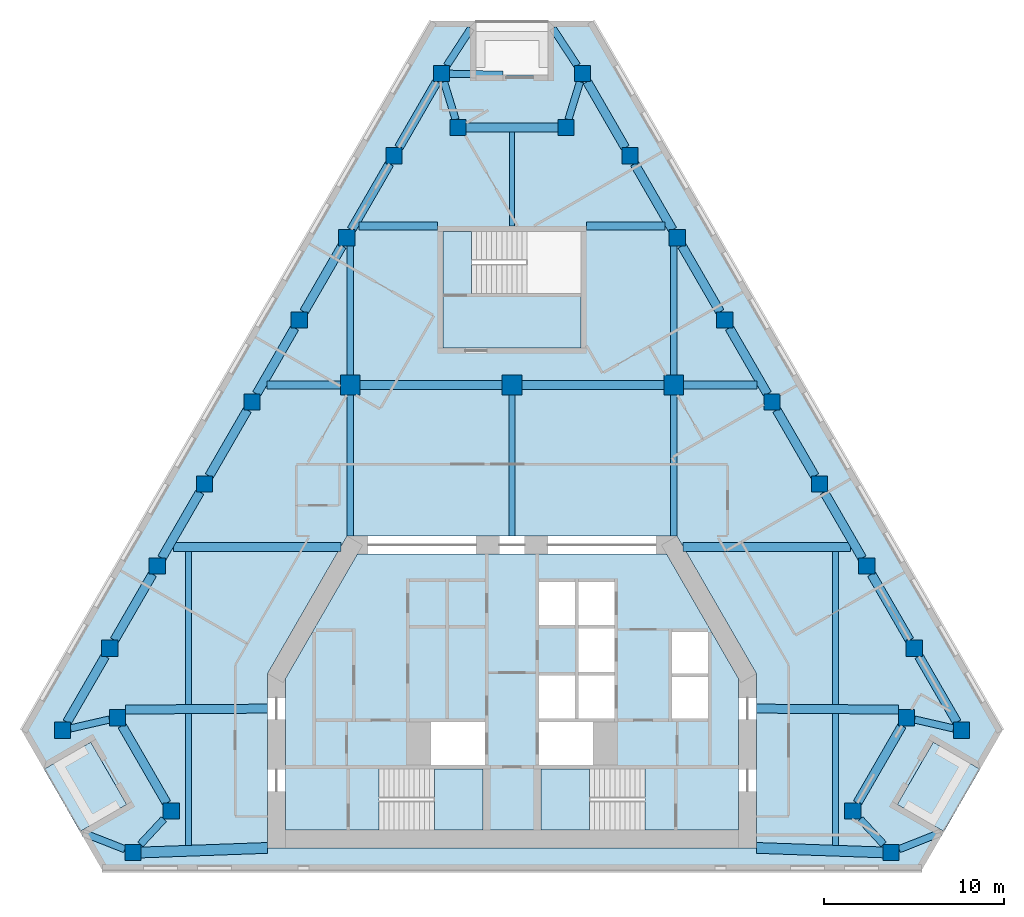
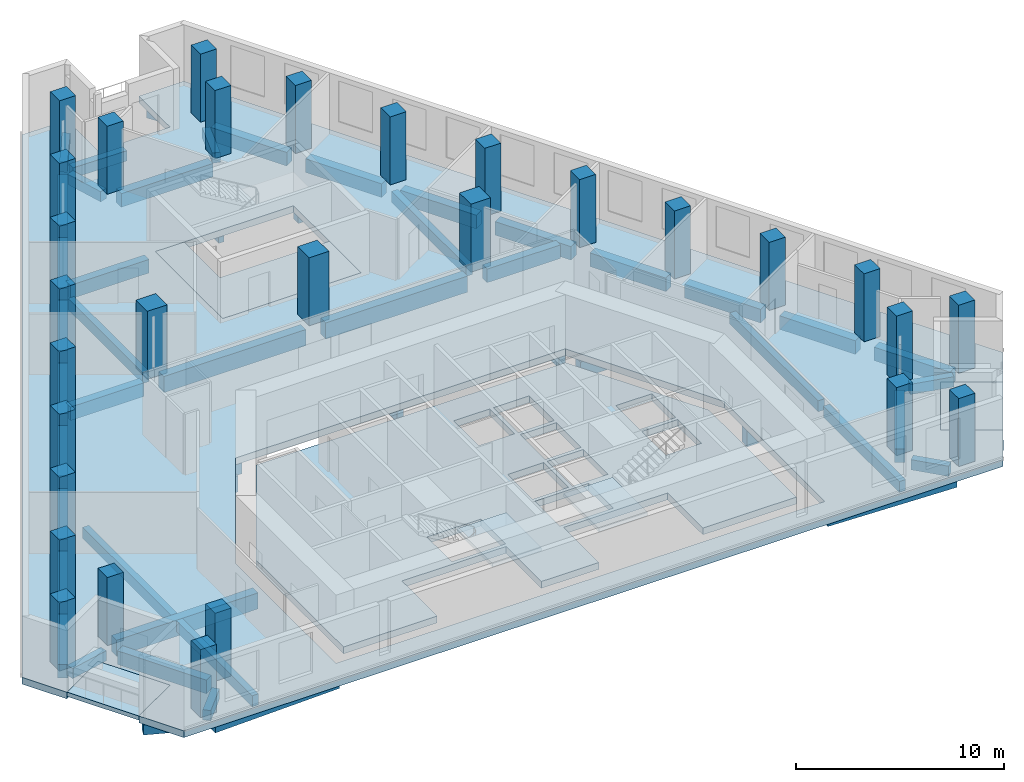
# One storey, part 1 of 9: 52 beams, 29 columns, 7 slabs, 2 elements without a shape of their own.
"""IFC4 building model written with IfcOpenShell, lengths in metres."""

from ifc_helpers import new_model, si_unit, direction, frame, origin, origin_2d, place, context, subcontext, project, spatial, polyline, rectangle, outline, extrude, material, layer, layer_set, material_profile, profile_set, type_object, element, aggregate, save


model = new_model("IFC4")

# Units and contexts
model_context = context("Model", 3, precision=1e-05, world=origin(), true_north=direction((0.0, 1.0)))
body_context = subcontext(model_context, "Body", "Model", "MODEL_VIEW")
ifc_project = project(units=[si_unit("LENGTHUNIT", "METRE"), si_unit("AREAUNIT", "SQUARE_METRE"), si_unit("VOLUMEUNIT", "CUBIC_METRE"), si_unit("PLANEANGLEUNIT", "RADIAN"), si_unit("MASSUNIT", "GRAM", prefix="KILO")], contexts=[model_context])

# Site, building, storey
site_placement = place(None, origin())
site = spatial("IfcSite", under=ifc_project, at=site_placement, CompositionType="ELEMENT")
building_placement = place(site_placement, origin())
building = spatial("IfcBuilding", under=site, at=building_placement, Name="Fogline Exchange Tower", CompositionType="ELEMENT")
storey_placement = place(building_placement, frame((0.0, 0.0, 210.10009765625)))
storey = spatial("IfcBuildingStorey", under=building, at=storey_placement, Name="L47", CompositionType="ELEMENT", Elevation=210.10009765625)

# Columns
ifc_material_1 = material(Name="Concrete C60", Category="concrete")
ifc_material_profile_1 = material_profile(ifc_material_1, rectangle(XDim=1.10009765625, YDim=1.10009765625, at=origin_2d()), Name="RC 1100x1100")
ifc_profile_set_1 = profile_set([ifc_material_profile_1], Name="Concrete C60")
column_type_1 = type_object("IfcColumnType", Name="C05", PredefinedType="COLUMN", material=ifc_profile_set_1)
for number, where, z_axis, x_axis, name in (
    (1, (-9.0, 27.0, 0.0), (0.0, 0.0, 1.0), (1.0, 0.0, 0.0), "IC--9-27"),
    (2, (0.0, 27.0, 0.0), (0.0, 0.0, 1.0), (1.0, 0.0, 0.0), "IC-0-27"),
    (3, (9.0, 27.0, 0.0), (0.0, 0.0, 1.0), (1.0, 0.0, 0.0), "IC-9-27"),
):
    element("IfcColumn", number, at=place(storey_placement, frame(where, z_axis=z_axis, x_axis=x_axis)), inside=storey, type_object=column_type_1, Name=name, PredefinedType="COLUMN", context=body_context, shape_type="SweptSolid", body=[
        extrude(rectangle(XDim=1.10009765625, YDim=1.10009765625, at=origin_2d()), origin(), (0.0, 0.0, 1.0), 4.0),
    ])
ifc_material_profile_2 = material_profile(ifc_material_1, rectangle(XDim=0.89990234375, YDim=0.89990234375, at=origin_2d()), Name="RC 900x900")
ifc_profile_set_2 = profile_set([ifc_material_profile_2], Name="Concrete C60")
column_type_2 = type_object("IfcColumnType", Name="C06", PredefinedType="COLUMN", material=ifc_profile_set_2)
for number, where, z_axis, x_axis, name in (
    (4, (-25.0146484375, 7.794189453125, 0.0), (0.0, 0.0, 1.0), (1.0, 0.0, 0.0), "SW-a"),
    (5, (-21.955322265625, 8.4951171875, 0.0), (0.0, 0.0, 1.0), (1.0, 0.0, 0.0), "SW-p4"),
    (6, (-18.955322265625, 3.299072265625, 0.0), (0.0, 0.0, 1.0), (1.0, 0.0, 0.0), "SW-p3"),
    (7, (-21.092041015625, 1.0, 0.0), (0.0, 0.0, 1.0), (1.0, 0.0, 0.0), "SW-b"),
    (8, (21.092041015625, 1.0, 0.0), (0.0, 0.0, 1.0), (1.0, 0.0, 0.0), "SE-a"),
    (9, (18.955322265625, 3.299072265625, 0.0), (0.0, 0.0, 1.0), (1.0, 0.0, 0.0), "SE-p4"),
    (10, (21.955322265625, 8.4951171875, 0.0), (0.0, 0.0, 1.0), (1.0, 0.0, 0.0), "SE-p3"),
    (11, (25.0146484375, 7.794189453125, 0.0), (0.0, 0.0, 1.0), (1.0, 0.0, 0.0), "SE-b"),
    (12, (22.378173828125, 12.36083984375, 0.0), (0.0, 0.0, 1.0), (1.0, 0.0, 0.0), "E1"),
    (13, (19.74169921875, 16.92724609375, 0.0), (0.0, 0.0, 1.0), (1.0, 0.0, 0.0), "E2"),
    (14, (17.105224609375, 21.493896484375, 0.0), (0.0, 0.0, 1.0), (1.0, 0.0, 0.0), "E3"),
    (15, (14.46875, 26.060302734375, 0.0), (0.0, 0.0, 1.0), (1.0, 0.0, 0.0), "E4"),
    (16, (11.832275390625, 30.626953125, 0.0), (0.0, 0.0, 1.0), (1.0, 0.0, 0.0), "E5"),
    (17, (9.19580078125, 35.193603515625, 0.0), (0.0, 0.0, 1.0), (1.0, 0.0, 0.0), "E6"),
    (18, (6.55908203125, 39.760009765625, 0.0), (0.0, 0.0, 1.0), (1.0, 0.0, 0.0), "E7"),
    (19, (3.922607421875, 44.32666015625, 0.0), (0.0, 0.0, 1.0), (1.0, 0.0, 0.0), "N-a"),
    (20, (3.0, 41.32666015625, 0.0), (0.0, 0.0, 1.0), (1.0, 0.0, 0.0), "N-p4"),
    (21, (-3.0, 41.32666015625, 0.0), (0.0, 0.0, 1.0), (1.0, 0.0, 0.0), "N-p3"),
    (22, (-3.922607421875, 44.32666015625, 0.0), (0.0, 0.0, 1.0), (1.0, 0.0, 0.0), "N-b"),
    (23, (-6.55908203125, 39.760009765625, 0.0), (0.0, 0.0, 1.0), (1.0, 0.0, 0.0), "W1"),
    (24, (-9.19580078125, 35.193603515625, 0.0), (0.0, 0.0, 1.0), (1.0, 0.0, 0.0), "W2"),
    (25, (-11.832275390625, 30.626953125, 0.0), (0.0, 0.0, 1.0), (1.0, 0.0, 0.0), "W3"),
    (26, (-14.46875, 26.060302734375, 0.0), (0.0, 0.0, 1.0), (1.0, 0.0, 0.0), "W4"),
    (27, (-17.105224609375, 21.493896484375, 0.0), (0.0, 0.0, 1.0), (1.0, 0.0, 0.0), "W5"),
    (28, (-19.74169921875, 16.92724609375, 0.0), (0.0, 0.0, 1.0), (1.0, 0.0, 0.0), "W6"),
    (29, (-22.378173828125, 12.36083984375, 0.0), (0.0, 0.0, 1.0), (1.0, 0.0, 0.0), "W7"),
):
    element("IfcColumn", number, at=place(storey_placement, frame(where, z_axis=z_axis, x_axis=x_axis)), inside=storey, type_object=column_type_2, Name=name, PredefinedType="COLUMN", context=body_context, shape_type="SweptSolid", body=[
        extrude(rectangle(XDim=0.89990234375, YDim=0.89990234375, at=origin_2d()), origin(), (0.0, 0.0, 1.0), 4.0),
    ])

# Beams
ifc_material_2 = material(Name="Concrete C40", Category="concrete")
ifc_material_profile_3 = material_profile(ifc_material_2, rectangle(XDim=0.300048828125, YDim=0.60009765625, at=origin_2d()), Name="RC 300x600")
ifc_profile_set_3 = profile_set([ifc_material_profile_3], Name="Concrete C40")
beam_type_1 = type_object("IfcBeamType", Name="B06", PredefinedType="BEAM", material=ifc_profile_set_3)
beam_1_placement = place(storey_placement, frame((0.0, 35.85693359375, -0.7001953125), z_axis=(0.0, 1.0, 0.0), x_axis=(-1.0, 0.0, 0.0)))
element("IfcBeam", 30, at=beam_1_placement, inside=storey, type_object=beam_type_1, Name="SB006", PredefinedType="BEAM", context=body_context, shape_type="SweptSolid", body=[
    extrude(rectangle(XDim=0.300048828125, YDim=0.60009765625, at=origin_2d()), origin(), (0.0, 0.0, 1.0), 5.2197265625),
])
ifc_material_profile_4 = material_profile(ifc_material_2, rectangle(XDim=0.60009765625, YDim=0.89990234375, at=origin_2d()), Name="RC 600x900")
ifc_profile_set_4 = profile_set([ifc_material_profile_4], Name="Concrete C40")
beam_type_2 = type_object("IfcBeamType", Name="B09", PredefinedType="BEAM", material=ifc_profile_set_4)
beam_2_placement = place(storey_placement, frame((-20.64208984375, 0.99462890625, -0.85009765625), z_axis=(0.999343107492, 0.036240219472, 0.0), x_axis=(-0.036240219472, 0.999343107492, 0.0)))
element("IfcBeam", 31, at=beam_2_placement, inside=storey, type_object=beam_type_2, Name="RB004", PredefinedType="BEAM", context=body_context, shape_type="SweptSolid", body=[
    extrude(rectangle(XDim=0.60009765625, YDim=0.89990234375, at=origin_2d()), origin(), (0.0, 0.0, 1.0), 7.046630859375),
])
beam_3_placement = place(storey_placement, frame((13.60009765625, 1.25, -0.85009765625), z_axis=(0.99937042328, -0.035478966629, 0.0), x_axis=(0.035478966629, 0.99937042328, 0.0)))
element("IfcBeam", 32, at=beam_3_placement, inside=storey, type_object=beam_type_2, Name="RB005", PredefinedType="BEAM", context=body_context, shape_type="SweptSolid", body=[
    extrude(rectangle(XDim=0.60009765625, YDim=0.89990234375, at=origin_2d()), origin(), (0.0, 0.0, 1.0), 7.04638671875),
])
ifc_material_profile_5 = material_profile(ifc_material_2, rectangle(XDim=0.5, YDim=0.800048828125, at=origin_2d()), Name="RC 500x800")
ifc_profile_set_5 = profile_set([ifc_material_profile_5], Name="Concrete C40")
beam_type_3 = type_object("IfcBeamType", Name="B10", PredefinedType="BEAM", material=ifc_profile_set_5)
for number, where, z_axis, x_axis, name in (
    (33, (-21.6953125, 8.045166015625, -0.800048828125), (0.499976646485, -0.866038886523, 0.0), (0.866038886523, 0.499976646485, 0.0), "RB002"),
    (34, (19.215087890625, 3.7490234375, -0.800048828125), (0.499976646485, 0.866038886523, 0.0), (-0.866038886523, 0.499976646485, 0.0), "RB007"),
):
    element("IfcBeam", number, at=place(storey_placement, frame(where, z_axis=z_axis, x_axis=x_axis)), inside=storey, type_object=beam_type_3, Name=name, PredefinedType="BEAM", context=body_context, shape_type="SweptSolid", body=[
        extrude(rectangle(XDim=0.5, YDim=0.800048828125, at=origin_2d()), origin(), (0.0, 0.0, 1.0), 4.960693359375),
    ])
beam_4_placement = place(storey_placement, frame((24.7548828125, 8.244140625, -0.800048828125), z_axis=(-0.499990325971, 0.866030989016, 0.0), x_axis=(-0.866030989016, -0.499990325971, 0.0)))
element("IfcBeam", 35, at=beam_4_placement, inside=storey, type_object=beam_type_3, Name="RB009", PredefinedType="BEAM", context=body_context, shape_type="SweptSolid", body=[
    extrude(rectangle(XDim=0.5, YDim=0.800048828125, at=origin_2d()), origin(), (0.0, 0.0, 1.0), 4.23388671875),
])
beam_5_placement = place(storey_placement, frame((22.118408203125, 12.810791015625, -0.800048828125), z_axis=(-0.500015295222, 0.866016572904, 0.0), x_axis=(-0.866016572904, -0.500015295222, 0.0)))
element("IfcBeam", 36, at=beam_5_placement, inside=storey, type_object=beam_type_3, Name="RB010", PredefinedType="BEAM", context=body_context, shape_type="SweptSolid", body=[
    extrude(rectangle(XDim=0.5, YDim=0.800048828125, at=origin_2d()), origin(), (0.0, 0.0, 1.0), 4.233642578125),
])
beam_6_placement = place(storey_placement, frame((19.481689453125, 17.377197265625, -0.800048828125), z_axis=(-0.499947076772, 0.866055956868, 0.0), x_axis=(-0.866055956868, -0.499947076772, 0.0)))
element("IfcBeam", 37, at=beam_6_placement, inside=storey, type_object=beam_type_3, Name="RB011", PredefinedType="BEAM", context=body_context, shape_type="SweptSolid", body=[
    extrude(rectangle(XDim=0.5, YDim=0.800048828125, at=origin_2d()), origin(), (0.0, 0.0, 1.0), 4.23388671875),
])
for number, where, z_axis, x_axis, name in (
    (38, (16.84521484375, 21.94384765625, -0.800048828125), (-0.499972045304, 0.866041542834, 0.0), (-0.866041542834, -0.499972045304, 0.0), "RB012"),
    (39, (14.208740234375, 26.510498046875, -0.800048828125), (-0.499972045304, 0.866041542834, 0.0), (-0.866041542834, -0.499972045304, 0.0), "RB013"),
    (40, (11.572265625, 31.076904296875, -0.800048828125), (-0.499972045304, 0.866041542834, 0.0), (-0.866041542834, -0.499972045304, 0.0), "RB014"),
    (41, (8.935791015625, 35.6435546875, -0.800048828125), (-0.499972045304, 0.866041542834, 0.0), (-0.866041542834, -0.499972045304, 0.0), "RB015"),
    (42, (6.29931640625, 40.210205078125, -0.800048828125), (-0.499972045304, 0.866041542834, 0.0), (-0.866041542834, -0.499972045304, 0.0), "RB016"),
):
    element("IfcBeam", number, at=place(storey_placement, frame(where, z_axis=z_axis, x_axis=x_axis)), inside=storey, type_object=beam_type_3, Name=name, PredefinedType="BEAM", context=body_context, shape_type="SweptSolid", body=[
        extrude(rectangle(XDim=0.5, YDim=0.800048828125, at=origin_2d()), origin(), (0.0, 0.0, 1.0), 4.233642578125),
    ])
beam_7_placement = place(storey_placement, frame((2.550048828125, 41.32666015625, -0.800048828125), z_axis=(-1.0, 0.0, 0.0), x_axis=(0.0, -1.0, 0.0)))
element("IfcBeam", 43, at=beam_7_placement, inside=storey, type_object=beam_type_3, Name="RB018", PredefinedType="BEAM", context=body_context, shape_type="SweptSolid", body=[
    extrude(rectangle(XDim=0.5, YDim=0.800048828125, at=origin_2d()), origin(), (0.0, 0.0, 1.0), 5.10009765625),
])
for number, where, z_axis, x_axis, name in (
    (44, (-4.1826171875, 43.876708984375, -0.800048828125), (-0.499972045304, -0.866041542834, 0.0), (0.866041542834, -0.499972045304, 0.0), "RB020"),
    (45, (-6.819091796875, 39.31005859375, -0.800048828125), (-0.499972045304, -0.866041542834, 0.0), (0.866041542834, -0.499972045304, 0.0), "RB021"),
    (46, (-9.45556640625, 34.743408203125, -0.800048828125), (-0.499972045304, -0.866041542834, 0.0), (0.866041542834, -0.499972045304, 0.0), "RB022"),
    (47, (-12.092041015625, 30.177001953125, -0.800048828125), (-0.499972045304, -0.866041542834, 0.0), (0.866041542834, -0.499972045304, 0.0), "RB023"),
    (48, (-14.728515625, 25.6103515625, -0.800048828125), (-0.499972045304, -0.866041542834, 0.0), (0.866041542834, -0.499972045304, 0.0), "RB024"),
):
    element("IfcBeam", number, at=place(storey_placement, frame(where, z_axis=z_axis, x_axis=x_axis)), inside=storey, type_object=beam_type_3, Name=name, PredefinedType="BEAM", context=body_context, shape_type="SweptSolid", body=[
        extrude(rectangle(XDim=0.5, YDim=0.800048828125, at=origin_2d()), origin(), (0.0, 0.0, 1.0), 4.233642578125),
    ])
beam_8_placement = place(storey_placement, frame((-17.364990234375, 21.0439453125, -0.800048828125), z_axis=(-0.499947076772, -0.866055956868, 0.0), x_axis=(0.866055956868, -0.499947076772, 0.0)))
element("IfcBeam", 49, at=beam_8_placement, inside=storey, type_object=beam_type_3, Name="RB025", PredefinedType="BEAM", context=body_context, shape_type="SweptSolid", body=[
    extrude(rectangle(XDim=0.5, YDim=0.800048828125, at=origin_2d()), origin(), (0.0, 0.0, 1.0), 4.23388671875),
])
beam_9_placement = place(storey_placement, frame((-20.00146484375, 16.477294921875, -0.800048828125), z_axis=(-0.500015295222, -0.866016572904, 0.0), x_axis=(0.866016572904, -0.500015295222, 0.0)))
element("IfcBeam", 50, at=beam_9_placement, inside=storey, type_object=beam_type_3, Name="RB026", PredefinedType="BEAM", context=body_context, shape_type="SweptSolid", body=[
    extrude(rectangle(XDim=0.5, YDim=0.800048828125, at=origin_2d()), origin(), (0.0, 0.0, 1.0), 4.233642578125),
])
beam_10_placement = place(storey_placement, frame((-22.637939453125, 11.910888671875, -0.800048828125), z_axis=(-0.499990325971, -0.866030989016, 0.0), x_axis=(0.866030989016, -0.499990325971, 0.0)))
element("IfcBeam", 51, at=beam_10_placement, inside=storey, type_object=beam_type_3, Name="RB027", PredefinedType="BEAM", context=body_context, shape_type="SweptSolid", body=[
    extrude(rectangle(XDim=0.5, YDim=0.800048828125, at=origin_2d()), origin(), (0.0, 0.0, 1.0), 4.23388671875),
])
ifc_material_profile_6 = material_profile(ifc_material_2, rectangle(XDim=0.39990234375, YDim=0.60009765625, at=origin_2d()), Name="RC 400x600")
ifc_profile_set_6 = profile_set([ifc_material_profile_6], Name="Concrete C40")
beam_type_4 = type_object("IfcBeamType", Name="B11", PredefinedType="BEAM", material=ifc_profile_set_6)
beam_11_placement = place(storey_placement, frame((-24.564697265625, 7.897216796875, -0.7001953125), z_axis=(0.974731818643, 0.223378337636, 0.0), x_axis=(-0.223378337636, 0.974731818643, 0.0)))
element("IfcBeam", 52, at=beam_11_placement, inside=storey, type_object=beam_type_4, Name="RB001", PredefinedType="BEAM", context=body_context, shape_type="SweptSolid", body=[
    extrude(rectangle(XDim=0.39990234375, YDim=0.60009765625, at=origin_2d()), origin(), (0.0, 0.0, 1.0), 2.21533203125),
])
for number, where, z_axis, x_axis, name in (
    (53, (-19.37353515625, 2.84912109375, -0.7001953125), (-0.68075009804, -0.732515736362, 0.0), (0.732515736362, -0.68075009804, 0.0), "RB003"),
    (54, (20.673828125, 1.449951171875, -0.7001953125), (-0.68075009804, 0.732515736362, 0.0), (-0.732515736362, -0.68075009804, 0.0), "RB006"),
):
    element("IfcBeam", number, at=place(storey_placement, frame(where, z_axis=z_axis, x_axis=x_axis)), inside=storey, type_object=beam_type_4, Name=name, PredefinedType="BEAM", context=body_context, shape_type="SweptSolid", body=[
        extrude(rectangle(XDim=0.39990234375, YDim=0.60009765625, at=origin_2d()), origin(), (0.0, 0.0, 1.0), 1.91015625),
    ])
beam_12_placement = place(storey_placement, frame((22.4052734375, 8.39208984375, -0.7001953125), z_axis=(0.974731818643, -0.223378337636, 0.0), x_axis=(0.223378337636, 0.974731818643, 0.0)))
element("IfcBeam", 55, at=beam_12_placement, inside=storey, type_object=beam_type_4, Name="RB008", PredefinedType="BEAM", context=body_context, shape_type="SweptSolid", body=[
    extrude(rectangle(XDim=0.39990234375, YDim=0.60009765625, at=origin_2d()), origin(), (0.0, 0.0, 1.0), 2.21533203125),
])
for number, where, z_axis, x_axis, name in (
    (56, (3.7841796875, 43.876708984375, -0.7001953125), (-0.293906253456, -0.95583425037, 0.0), (0.95583425037, -0.293906253456, 0.0), "RB017"),
    (57, (-3.138427734375, 41.776611328125, -0.7001953125), (-0.293906253456, 0.95583425037, 0.0), (-0.95583425037, -0.293906253456, 0.0), "RB019"),
):
    element("IfcBeam", number, at=place(storey_placement, frame(where, z_axis=z_axis, x_axis=x_axis)), inside=storey, type_object=beam_type_4, Name=name, PredefinedType="BEAM", context=body_context, shape_type="SweptSolid", body=[
        extrude(rectangle(XDim=0.39990234375, YDim=0.60009765625, at=origin_2d()), origin(), (0.0, 0.0, 1.0), 2.197021484375),
    ])
beam_13_placement = place(storey_placement, frame((3.627685546875, 44.776611328125, -0.7001953125), z_axis=(-0.548384177003, 0.836226520993, 0.0), x_axis=(-0.836226520993, -0.548384177003, 0.0)))
element("IfcBeam", 58, at=beam_13_placement, inside=storey, type_object=beam_type_4, Name="SP028", PredefinedType="BEAM", context=body_context, shape_type="SweptSolid", body=[
    extrude(rectangle(XDim=0.39990234375, YDim=0.60009765625, at=origin_2d()), origin(), (0.0, 0.0, 1.0), 2.46826171875),
])
beam_14_placement = place(storey_placement, frame((-3.630126953125, 44.776611328125, -0.7001953125), z_axis=(0.544943067499, 0.838473048574, 0.0), x_axis=(-0.838473048574, 0.544943067499, 0.0)))
element("IfcBeam", 59, at=beam_14_placement, inside=storey, type_object=beam_type_4, Name="SP029", PredefinedType="BEAM", context=body_context, shape_type="SweptSolid", body=[
    extrude(rectangle(XDim=0.39990234375, YDim=0.60009765625, at=origin_2d()), origin(), (0.0, 0.0, 1.0), 2.463623046875),
])
beam_15_placement = place(storey_placement, frame((21.5419921875, 1.178466796875, -0.7001953125), z_axis=(0.929590674995, 0.368593511829, 0.0), x_axis=(-0.368593511829, 0.929590674995, 0.0)))
element("IfcBeam", 60, at=beam_15_placement, inside=storey, type_object=beam_type_4, Name="SP030", PredefinedType="BEAM", context=body_context, shape_type="SweptSolid", body=[
    extrude(rectangle(XDim=0.39990234375, YDim=0.60009765625, at=origin_2d()), origin(), (0.0, 0.0, 1.0), 2.484619140625),
])
beam_16_placement = place(storey_placement, frame((-21.5419921875, 1.176513671875, -0.7001953125), z_axis=(-0.930953625258, 0.365137436616, 0.0), x_axis=(-0.365137436616, -0.930953625258, 0.0)))
element("IfcBeam", 61, at=beam_16_placement, inside=storey, type_object=beam_type_4, Name="SP031", PredefinedType="BEAM", context=body_context, shape_type="SweptSolid", body=[
    extrude(rectangle(XDim=0.39990234375, YDim=0.60009765625, at=origin_2d()), origin(), (0.0, 0.0, 1.0), 2.493896484375),
])
beam_17_placement = place(storey_placement, frame((-3.47265625, 44.319091796875, -0.7001953125), z_axis=(0.999862941175, -0.016555931393, 0.0), x_axis=(0.016555931393, 0.999862941175, 0.0)))
element("IfcBeam", 62, at=beam_17_placement, inside=storey, type_object=beam_type_4, Name="SP032", PredefinedType="BEAM", context=body_context, shape_type="SweptSolid", body=[
    extrude(rectangle(XDim=0.39990234375, YDim=0.60009765625, at=origin_2d()), origin(), (0.0, 0.0, 1.0), 2.964111328125),
])
ifc_material_profile_7 = material_profile(ifc_material_2, rectangle(XDim=0.5, YDim=0.949951171875, at=origin_2d()), Name="RC 500x950")
ifc_profile_set_7 = profile_set([ifc_material_profile_7], Name="Concrete C40")
beam_type_5 = type_object("IfcBeamType", Name="B14", PredefinedType="BEAM", material=ifc_profile_set_7)
for number, where, z_axis, x_axis, name in (
    (63, (-21.50537109375, 8.9453125, -0.875), (0.999976072531, 0.006917684998, 0.0), (-0.006917684998, 0.999976072531, 0.0), "GB001"),
    (64, (13.60009765625, 9.0, -0.875), (0.999976072531, -0.006917684998, 0.0), (0.006917684998, 0.999976072531, 0.0), "GB002"),
):
    element("IfcBeam", number, at=place(storey_placement, frame(where, z_axis=z_axis, x_axis=x_axis)), inside=storey, type_object=beam_type_5, Name=name, PredefinedType="BEAM", context=body_context, shape_type="SweptSolid", body=[
        extrude(rectangle(XDim=0.5, YDim=0.949951171875, at=origin_2d()), origin(), (0.0, 0.0, 1.0), 7.905517578125),
    ])
for number, where, z_axis, x_axis, name in (
    (65, (-18.833740234375, 18.0, -0.875), (1.0, 0.0, 0.0), (0.0, 1.0, 0.0), "GB003"),
    (66, (9.527099609375, 18.0, -0.875), (1.0, 0.0, 0.0), (0.0, 1.0, 0.0), "GB004"),
):
    element("IfcBeam", number, at=place(storey_placement, frame(where, z_axis=z_axis, x_axis=x_axis)), inside=storey, type_object=beam_type_5, Name=name, PredefinedType="BEAM", context=body_context, shape_type="SweptSolid", body=[
        extrude(rectangle(XDim=0.5, YDim=0.949951171875, at=origin_2d()), origin(), (0.0, 0.0, 1.0), 9.306640625),
    ])
for number, where, z_axis, x_axis, name in (
    (67, (-8.449951171875, 27.0, -0.875), (1.0, 0.0, 0.0), (0.0, 1.0, 0.0), "GB006"),
    (68, (0.550048828125, 27.0, -0.875), (1.0, 0.0, 0.0), (0.0, 1.0, 0.0), "GB007"),
):
    element("IfcBeam", number, at=place(storey_placement, frame(where, z_axis=z_axis, x_axis=x_axis)), inside=storey, type_object=beam_type_5, Name=name, PredefinedType="BEAM", context=body_context, shape_type="SweptSolid", body=[
        extrude(rectangle(XDim=0.5, YDim=0.949951171875, at=origin_2d()), origin(), (0.0, 0.0, 1.0), 7.89990234375),
    ])
ifc_material_profile_8 = material_profile(ifc_material_2, rectangle(XDim=0.35009765625, YDim=0.64990234375, at=origin_2d()), Name="RC 350x650")
ifc_profile_set_8 = profile_set([ifc_material_profile_8], Name="Concrete C40")
beam_type_6 = type_object("IfcBeamType", Name="B16", PredefinedType="BEAM", material=ifc_profile_set_8)
beam_18_placement = place(storey_placement, frame((-18.0, 1.390625, -0.72509765625), z_axis=(0.0, 1.0, 0.0), x_axis=(-1.0, 0.0, 0.0)))
element("IfcBeam", 69, at=beam_18_placement, inside=storey, type_object=beam_type_6, Name="SB001", PredefinedType="BEAM", context=body_context, shape_type="SweptSolid", body=[
    extrude(rectangle(XDim=0.35009765625, YDim=0.64990234375, at=origin_2d()), origin(), (0.0, 0.0, 1.0), 7.328857421875),
])
beam_19_placement = place(storey_placement, frame((-18.0, 9.219482421875, -0.72509765625), z_axis=(0.0, 1.0, 0.0), x_axis=(-1.0, 0.0, 0.0)))
element("IfcBeam", 70, at=beam_19_placement, inside=storey, type_object=beam_type_6, Name="SB002", PredefinedType="BEAM", context=body_context, shape_type="SweptSolid", body=[
    extrude(rectangle(XDim=0.35009765625, YDim=0.64990234375, at=origin_2d()), origin(), (0.0, 0.0, 1.0), 8.530517578125),
])
beam_20_placement = place(storey_placement, frame((-9.0, 18.60009765625, -0.72509765625), z_axis=(0.0, 1.0, 0.0), x_axis=(-1.0, 0.0, 0.0)))
element("IfcBeam", 71, at=beam_20_placement, inside=storey, type_object=beam_type_6, Name="SB003", PredefinedType="BEAM", context=body_context, shape_type="SweptSolid", body=[
    extrude(rectangle(XDim=0.35009765625, YDim=0.64990234375, at=origin_2d()), origin(), (0.0, 0.0, 1.0), 7.849853515625),
])
beam_21_placement = place(storey_placement, frame((-9.0, 27.550048828125, -0.72509765625), z_axis=(0.0, 1.0, 0.0), x_axis=(-1.0, 0.0, 0.0)))
element("IfcBeam", 72, at=beam_21_placement, inside=storey, type_object=beam_type_6, Name="SB004", PredefinedType="BEAM", context=body_context, shape_type="SweptSolid", body=[
    extrude(rectangle(XDim=0.35009765625, YDim=0.64990234375, at=origin_2d()), origin(), (0.0, 0.0, 1.0), 7.193359375),
])
for number, where, z_axis, x_axis, name in (
    (73, (0.0, 18.60009765625, -0.72509765625), (0.0, 1.0, 0.0), (-1.0, 0.0, 0.0), "SB005"),
    (74, (9.0, 18.60009765625, -0.72509765625), (0.0, 1.0, 0.0), (-1.0, 0.0, 0.0), "SB007"),
):
    element("IfcBeam", number, at=place(storey_placement, frame(where, z_axis=z_axis, x_axis=x_axis)), inside=storey, type_object=beam_type_6, Name=name, PredefinedType="BEAM", context=body_context, shape_type="SweptSolid", body=[
        extrude(rectangle(XDim=0.35009765625, YDim=0.64990234375, at=origin_2d()), origin(), (0.0, 0.0, 1.0), 7.849853515625),
    ])
beam_22_placement = place(storey_placement, frame((9.0, 27.550048828125, -0.72509765625), z_axis=(0.0, 1.0, 0.0), x_axis=(-1.0, 0.0, 0.0)))
element("IfcBeam", 75, at=beam_22_placement, inside=storey, type_object=beam_type_6, Name="SB008", PredefinedType="BEAM", context=body_context, shape_type="SweptSolid", body=[
    extrude(rectangle(XDim=0.35009765625, YDim=0.64990234375, at=origin_2d()), origin(), (0.0, 0.0, 1.0), 7.193359375),
])
beam_23_placement = place(storey_placement, frame((18.0, 1.39404296875, -0.72509765625), z_axis=(0.0, 1.0, 0.0), x_axis=(-1.0, 0.0, 0.0)))
element("IfcBeam", 76, at=beam_23_placement, inside=storey, type_object=beam_type_6, Name="SB009", PredefinedType="BEAM", context=body_context, shape_type="SweptSolid", body=[
    extrude(rectangle(XDim=0.35009765625, YDim=0.64990234375, at=origin_2d()), origin(), (0.0, 0.0, 1.0), 7.325439453125),
])
beam_24_placement = place(storey_placement, frame((18.0, 9.219482421875, -0.72509765625), z_axis=(0.0, 1.0, 0.0), x_axis=(-1.0, 0.0, 0.0)))
element("IfcBeam", 77, at=beam_24_placement, inside=storey, type_object=beam_type_6, Name="SB010", PredefinedType="BEAM", context=body_context, shape_type="SweptSolid", body=[
    extrude(rectangle(XDim=0.35009765625, YDim=0.64990234375, at=origin_2d()), origin(), (0.0, 0.0, 1.0), 8.530517578125),
])
ifc_material_profile_9 = material_profile(ifc_material_2, rectangle(XDim=0.449951171875, YDim=0.800048828125, at=origin_2d()), Name="RC 450x800")
ifc_profile_set_9 = profile_set([ifc_material_profile_9], Name="Concrete C40")
beam_type_7 = type_object("IfcBeamType", Name="B18", PredefinedType="BEAM", material=ifc_profile_set_9)
for number, where, z_axis, x_axis, name in (
    (78, (-13.637451171875, 27.0, -0.800048828125), (1.0, 0.0, 0.0), (0.0, 1.0, 0.0), "GB005"),
    (79, (9.550048828125, 27.0, -0.800048828125), (1.0, 0.0, 0.0), (0.0, 1.0, 0.0), "GB008"),
):
    element("IfcBeam", number, at=place(storey_placement, frame(where, z_axis=z_axis, x_axis=x_axis)), inside=storey, type_object=beam_type_7, Name=name, PredefinedType="BEAM", context=body_context, shape_type="SweptSolid", body=[
        extrude(rectangle(XDim=0.449951171875, YDim=0.800048828125, at=origin_2d()), origin(), (0.0, 0.0, 1.0), 4.08740234375),
    ])
for number, where, z_axis, x_axis, name in (
    (80, (-8.52392578125, 35.85693359375, -0.800048828125), (1.0, 0.0, 0.0), (0.0, 1.0, 0.0), "GB009"),
    (81, (4.14990234375, 35.85693359375, -0.800048828125), (1.0, 0.0, 0.0), (0.0, 1.0, 0.0), "GB010"),
):
    element("IfcBeam", number, at=place(storey_placement, frame(where, z_axis=z_axis, x_axis=x_axis)), inside=storey, type_object=beam_type_7, Name=name, PredefinedType="BEAM", context=body_context, shape_type="SweptSolid", body=[
        extrude(rectangle(XDim=0.449951171875, YDim=0.800048828125, at=origin_2d()), origin(), (0.0, 0.0, 1.0), 4.3740234375),
    ])

# Slabs
ifc_layer_1 = layer(ifc_material_2, 0.25)
ifc_layer_set_1 = layer_set([ifc_layer_1], Name="DK1")
slab_type_1 = type_object("IfcSlabType", Name="DK1", PredefinedType="FLOOR", material=ifc_layer_set_1)
slab_1_placement = place(storey_placement, frame((0.0, 0.0, -0.25)))
element("IfcSlab", 82, at=slab_1_placement, inside=storey, type_object=slab_type_1, Name="Balcony L47 SW", PredefinedType="FLOOR", context=body_context, shape_type="SweptSolid", body=[
    extrude(outline(polyline([(-26.03662109375, 5.629150390625), (-24.03662109375, 2.1650390625), (-21.4384765625, 3.6650390625), (-23.4384765625, 7.129150390625), (-26.03662109375, 5.629150390625)])), origin(), (0.0, 0.0, 1.0), 0.25),
])
slab_2_placement = place(storey_placement, frame((0.0, 0.0, -0.25)))
element("IfcSlab", 83, at=slab_2_placement, inside=storey, type_object=slab_type_1, Name="Balcony L47 SE", PredefinedType="FLOOR", context=body_context, shape_type="SweptSolid", body=[
    extrude(outline(polyline([(24.03662109375, 2.1650390625), (26.03662109375, 5.629150390625), (23.4384765625, 7.129150390625), (21.4384765625, 3.6650390625), (24.03662109375, 2.1650390625)])), origin(), (0.0, 0.0, 1.0), 0.25),
])
ifc_layer_2 = layer(ifc_material_2, 0.39990234375)
ifc_layer_set_2 = layer_set([ifc_layer_2], Name="S03")
slab_type_2 = type_object("IfcSlabType", Name="S03", PredefinedType="FLOOR", material=ifc_layer_set_2)
slab_3_placement = place(storey_placement, frame((0.0, 0.0, -0.400146484375)))
element("IfcSlab", 84, at=slab_3_placement, inside=storey, type_object=slab_type_2, Name="SLAB L47", PredefinedType="FLOOR", context=body_context, shape_type="SweptSolid", body=[
    extrude(outline(polyline([(-2.0, 47.26171875), (-4.5, 47.26171875), (-27.28662109375, 7.794189453125), (-26.03662109375, 5.629150390625), (-23.4384765625, 7.129150390625), (-21.4384765625, 3.6650390625), (-24.03662109375, 2.1650390625), (-22.78662109375, 0.0), (22.78662109375, 0.0), (24.03662109375, 2.1650390625), (21.4384765625, 3.6650390625), (23.4384765625, 7.129150390625), (26.03662109375, 5.629150390625), (27.28662109375, 7.794189453125), (4.5, 47.26171875), (2.0, 47.26171875), (2.0, 44.26171875), (-2.0, 44.26171875), (-2.0, 47.26171875)]), holes=[polyline([(13.60009765625, 10.9453125), (13.60009765625, 1.25), (-13.60009765625, 1.25), (-13.60009765625, 10.9453125), (-9.1806640625, 18.60009765625), (9.1806640625, 18.60009765625), (13.60009765625, 10.9453125)]), polyline([(3.85009765625, 35.556884765625), (3.85009765625, 29.056884765625), (-3.85009765625, 29.056884765625), (-3.85009765625, 35.556884765625), (3.85009765625, 35.556884765625)])]), origin(), (0.0, 0.0, 1.0), 0.400146484375),
])
slab_4_placement = place(storey_placement, frame((0.0, 0.0, -0.400146484375)))
element("IfcSlab", 85, at=slab_4_placement, inside=storey, type_object=slab_type_2, Name="Core floor slab", PredefinedType="FLOOR", context=body_context, shape_type="SweptSolid", body=[
    extrude(outline(polyline([(-12.60009765625, 2.25), (-12.60009765625, 10.677490234375), (-8.603271484375, 17.60009765625), (8.603271484375, 17.60009765625), (12.60009765625, 10.677490234375), (12.60009765625, 2.25), (7.389892578125, 2.25), (7.389892578125, 5.64990234375), (1.60009765625, 5.64990234375), (1.60009765625, 2.25), (-1.60009765625, 2.25), (-1.60009765625, 5.64990234375), (-7.389892578125, 5.64990234375), (-7.389892578125, 2.25), (-12.60009765625, 2.25)]), holes=[polyline([(-4.5, 8.25), (-4.5, 5.85009765625), (-1.5, 5.85009765625), (-1.5, 8.25), (-4.5, 8.25)]), polyline([(4.5, 8.25), (1.5, 8.25), (1.5, 5.85009765625), (4.5, 5.85009765625), (4.5, 8.25)]), polyline([(3.5, 10.85009765625), (1.5, 10.85009765625), (1.5, 8.449951171875), (3.5, 8.449951171875), (3.5, 10.85009765625)]), polyline([(1.5, 16.050048828125), (1.5, 13.64990234375), (3.5, 13.64990234375), (3.5, 16.050048828125), (1.5, 16.050048828125)]), polyline([(10.89990234375, 10.75), (8.89990234375, 10.75), (8.89990234375, 8.449951171875), (10.89990234375, 8.449951171875), (10.89990234375, 10.75)]), polyline([(5.699951171875, 10.85009765625), (3.699951171875, 10.85009765625), (3.699951171875, 8.449951171875), (5.699951171875, 8.449951171875), (5.699951171875, 10.85009765625)]), polyline([(8.89990234375, 13.25), (8.89990234375, 10.949951171875), (10.89990234375, 10.949951171875), (10.89990234375, 13.25), (8.89990234375, 13.25)]), polyline([(5.699951171875, 13.449951171875), (3.699951171875, 13.449951171875), (3.699951171875, 11.050048828125), (5.699951171875, 11.050048828125), (5.699951171875, 13.449951171875)]), polyline([(5.699951171875, 16.050048828125), (3.699951171875, 16.050048828125), (3.699951171875, 13.64990234375), (5.699951171875, 13.64990234375), (5.699951171875, 16.050048828125)])]), origin(), (0.0, 0.0, 1.0), 0.400146484375),
])
slab_5_placement = place(storey_placement, frame((0.0, 0.0, -0.400146484375)))
element("IfcSlab", 86, at=slab_5_placement, inside=storey, type_object=slab_type_2, Name="Stair enclosure floor slab", PredefinedType="FLOOR", context=body_context, shape_type="SweptSolid", body=[
    extrude(outline(polyline([(3.85009765625, 29.056884765625), (-3.85009765625, 29.056884765625), (-3.85009765625, 35.556884765625), (-2.239990234375, 35.556884765625), (-2.239990234375, 32.10693359375), (3.85009765625, 32.10693359375), (3.85009765625, 29.056884765625)])), origin(), (0.0, 0.0, 1.0), 0.400146484375),
])

# Stair, slab
stair_type = type_object("IfcStairType", Name="STR24-1667", PredefinedType="HALF_TURN_STAIR", material=ifc_material_2)
stair_1_placement = place(storey_placement, origin())
stair_1 = element("IfcStair", 87, at=stair_1_placement, inside=storey, type_object=stair_type, Name="Stair ST1", PredefinedType="HALF_TURN_STAIR")
ifc_layer_3 = layer(ifc_material_2, 0.199951171875)
ifc_layer_set_3 = layer_set([ifc_layer_3], Name="SL200")
slab_type_3 = type_object("IfcSlabType", Name="SL200", PredefinedType="LANDING", material=ifc_layer_set_3)
slab_6_placement = place(storey_placement, frame((0.0, 0.0, 1.7998046875)))
slab_6 = element("IfcSlab", 88, at=slab_6_placement, type_object=slab_type_3, Name="ST1 landing 1", PredefinedType="LANDING", context=body_context, shape_type="SweptSolid", body=[
    extrude(outline(polyline([(-4.320068359375, 2.25), (-1.60009765625, 2.25), (-1.60009765625, 5.64990234375), (-4.320068359375, 5.64990234375), (-4.320068359375, 2.25)])), origin(), (0.0, 0.0, 1.0), 0.2001953125),
])
aggregate(stair_1, [slab_6])

stair_2_placement = place(storey_placement, origin())
stair_2 = element("IfcStair", 89, at=stair_2_placement, inside=storey, type_object=stair_type, Name="Stair ST2", PredefinedType="HALF_TURN_STAIR")
slab_7_placement = place(storey_placement, frame((0.0, 0.0, 1.7998046875)))
slab_7 = element("IfcSlab", 90, at=slab_7_placement, type_object=slab_type_3, Name="ST2 landing 1", PredefinedType="LANDING", context=body_context, shape_type="SweptSolid", body=[
    extrude(outline(polyline([(1.60009765625, 2.25), (4.320068359375, 2.25), (4.320068359375, 5.64990234375), (1.60009765625, 5.64990234375), (1.60009765625, 2.25)])), origin(), (0.0, 0.0, 1.0), 0.2001953125),
])
aggregate(stair_2, [slab_7])

save(model, "model.ifc")
